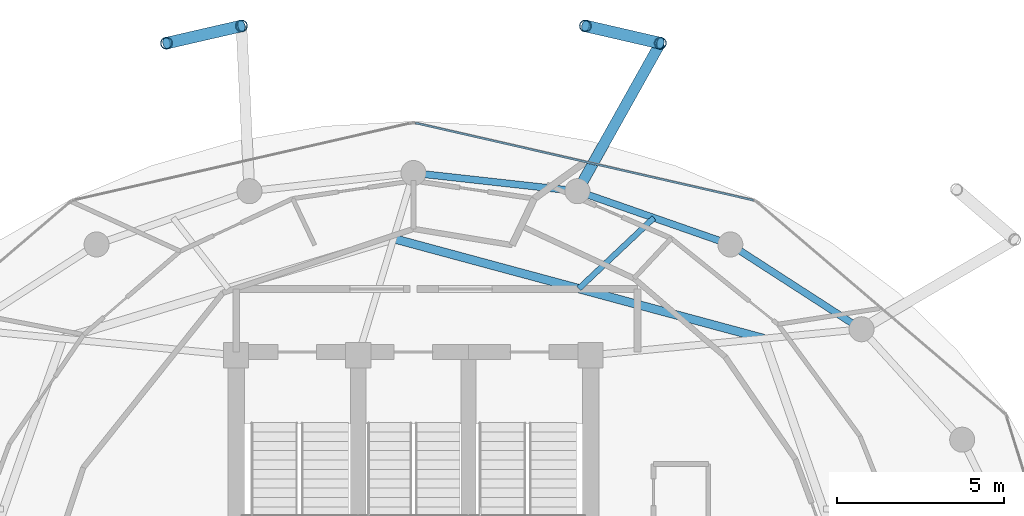
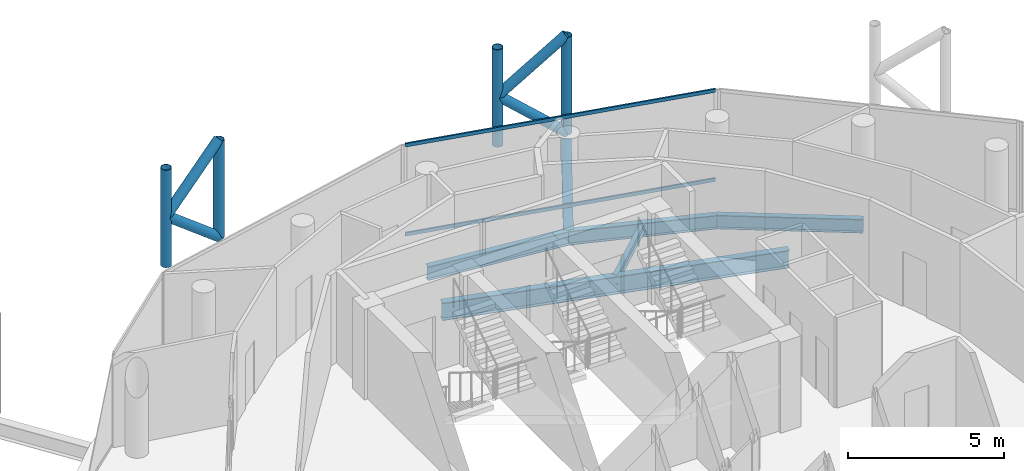
# One storey, part 17 of 24: 10 members, 6 beams, 1 element without a shape of its own.
"""IFC4 building model written with IfcOpenShell, lengths in metres."""

from ifc_helpers import new_model, si_unit, direction, frame, origin, origin_2d, place, context, subcontext, project, spatial, hollow_rectangle, hollow_circle, i_section, extrude, material, layer, layer_set, material_profile, profile_set, type_object, element, aggregate, save


model = new_model("IFC4")

# Units and contexts
model_context = context("Model", 3, precision=1e-05, world=origin(), true_north=direction((0.0, 1.0)))
body_context = subcontext(model_context, "Body", "Model", "MODEL_VIEW")
ifc_project = project(units=[si_unit("LENGTHUNIT", "METRE"), si_unit("AREAUNIT", "SQUARE_METRE"), si_unit("VOLUMEUNIT", "CUBIC_METRE"), si_unit("PLANEANGLEUNIT", "RADIAN"), si_unit("MASSUNIT", "GRAM", prefix="KILO")], contexts=[model_context])

# Site, building, storey
site_placement = place(None, origin())
site = spatial("IfcSite", under=ifc_project, at=site_placement, CompositionType="ELEMENT")
building_placement = place(site_placement, origin())
building = spatial("IfcBuilding", under=site, at=building_placement, Name="Nuhasar Tower", CompositionType="ELEMENT")
storey_placement = place(building_placement, frame((0.0, 0.0, 289.800048828125)))
storey = spatial("IfcBuildingStorey", under=building, at=storey_placement, Name="L72", CompositionType="ELEMENT", Elevation=289.800048828125)

# Beams
ifc_material_1 = material(Name="Steel S355", Category="steel")
ifc_material_profile_1 = material_profile(ifc_material_1, i_section(OverallWidth=0.25390625, OverallDepth=0.68408203125, WebThickness=0.012451171875, FlangeThickness=0.018798828125, at=origin_2d()), Name="W27X94")
ifc_profile_set_1 = profile_set([ifc_material_profile_1], Name="Steel S355")
beam_type_1 = type_object("IfcBeamType", Name="BM-INRING-W27X94", PredefinedType="BEAM", material=ifc_profile_set_1)
beam_1_placement = place(storey_placement, frame((49.48388671875, 37.798095703125, -0.60205078125), z_axis=(-0.965451835482, 0.260581567584, 0.0), x_axis=(-0.260581567584, -0.965451835482, 0.0)))
element("IfcBeam", 1, at=beam_1_placement, inside=storey, type_object=beam_type_1, Name="L72 Inner Header Beam 05", PredefinedType="BEAM", context=body_context, shape_type="SweptSolid", body=[
    extrude(i_section(OverallWidth=0.25390625, OverallDepth=0.68408203125, WebThickness=0.012451171875, FlangeThickness=0.018798828125, at=origin_2d()), origin(), (0.0, 0.0, 1.0), 11.474365234375),
])
ifc_material_profile_2 = material_profile(ifc_material_1, i_section(OverallWidth=0.1708984375, OverallDepth=0.35205078125, WebThickness=0.0068359375, FlangeThickness=0.009765625, at=origin_2d()), Name="W14X30")
ifc_profile_set_2 = profile_set([ifc_material_profile_2], Name="Steel S355")
beam_type_2 = type_object("IfcBeamType", Name="BM-JST-W14X30", PredefinedType="JOIST", material=ifc_profile_set_2)
beam_2_placement = place(storey_placement, frame((43.945068359375, 39.29296875, -0.43603515625), z_axis=(0.727532985224, 0.686072704173, 0.0), x_axis=(-0.686072704173, 0.727532985224, 0.0)))
element("IfcBeam", 2, at=beam_2_placement, inside=storey, type_object=beam_type_2, Name="L72 Secondary Floor Joist 05", PredefinedType="JOIST", context=body_context, shape_type="SweptSolid", body=[
    extrude(i_section(OverallWidth=0.1708984375, OverallDepth=0.35205078125, WebThickness=0.0068359375, FlangeThickness=0.009765625, at=origin_2d()), origin(), (0.0, 0.0, 1.0), 3.085693359375),
])
ifc_material_profile_3 = material_profile(ifc_material_1, i_section(OverallWidth=0.2099609375, OverallDepth=0.537109375, WebThickness=0.010986328125, FlangeThickness=0.017333984375, at=origin_2d()), Name="W21X68")
ifc_profile_set_3 = profile_set([ifc_material_profile_3], Name="Steel S355")
beam_type_3 = type_object("IfcBeamType", Name="BM-RING-W21X68", PredefinedType="SPANDREL", material=ifc_profile_set_3)
beam_3_placement = place(storey_placement, frame((52.39990234375, 38.077880859375, -0.528076171875), z_axis=(-0.840001671147, 0.54258381147, 0.0), x_axis=(-0.54258381147, -0.840001671147, 0.0)))
element("IfcBeam", 3, at=beam_3_placement, inside=storey, type_object=beam_type_3, Name="L72 Perimeter Ring Spandrel 04", PredefinedType="SPANDREL", context=body_context, shape_type="SweptSolid", body=[
    extrude(i_section(OverallWidth=0.2099609375, OverallDepth=0.537109375, WebThickness=0.010986328125, FlangeThickness=0.017333984375, at=origin_2d()), origin(), (0.0, 0.0, 1.0), 4.67236328125),
])
beam_4_placement = place(storey_placement, frame((48.47509765625, 40.613037109375, -0.528076171875), z_axis=(-0.944214043504, 0.329332415729, 0.0), x_axis=(-0.329332415729, -0.944214043504, 0.0)))
element("IfcBeam", 4, at=beam_4_placement, inside=storey, type_object=beam_type_3, Name="L72 Perimeter Ring Spandrel 05", PredefinedType="SPANDREL", context=body_context, shape_type="SweptSolid", body=[
    extrude(i_section(OverallWidth=0.2099609375, OverallDepth=0.537109375, WebThickness=0.010986328125, FlangeThickness=0.017333984375, at=origin_2d()), origin(), (0.0, 0.0, 1.0), 4.840087890625),
])
beam_5_placement = place(storey_placement, frame((43.905029296875, 42.20703125, -0.528076171875), z_axis=(-0.99392889943, 0.110024283128, 0.0), x_axis=(-0.110024283128, -0.99392889943, 0.0)))
element("IfcBeam", 5, at=beam_5_placement, inside=storey, type_object=beam_type_3, Name="L72 Perimeter Ring Spandrel 06", PredefinedType="SPANDREL", context=body_context, shape_type="SweptSolid", body=[
    extrude(i_section(OverallWidth=0.2099609375, OverallDepth=0.537109375, WebThickness=0.010986328125, FlangeThickness=0.017333984375, at=origin_2d()), origin(), (0.0, 0.0, 1.0), 4.93505859375),
])
ifc_material_profile_4 = material_profile(ifc_material_1, i_section(OverallWidth=0.323974609375, OverallDepth=0.611083984375, WebThickness=0.0126953125, FlangeThickness=0.01904296875, at=origin_2d()), Name="W24X104")
ifc_profile_set_4 = profile_set([ifc_material_profile_4], Name="Steel S355")
beam_type_4 = type_object("IfcBeamType", Name="BM-TIE-W24X104", PredefinedType="BEAM", material=ifc_profile_set_4)
beam_6_placement = place(storey_placement, frame((43.905029296875, 42.20703125, -0.56494140625), z_axis=(0.488667847762, 0.872469904675, 0.0), x_axis=(-0.872469904675, 0.488667847762, 0.0)))
element("IfcBeam", 6, at=beam_6_placement, inside=storey, type_object=beam_type_4, Name="L72 Exoskeleton Node Tie Beam 03", PredefinedType="BEAM", context=body_context, shape_type="SweptSolid", body=[
    extrude(i_section(OverallWidth=0.323974609375, OverallDepth=0.611083984375, WebThickness=0.0126953125, FlangeThickness=0.01904296875, at=origin_2d()), origin(), (0.0, 0.0, 1.0), 5.072998046875),
])

# Curtain wall, members
ifc_material_2 = material(Name="Aluminium 6063-T6", Category="aluminium")
ifc_layer = layer(ifc_material_2, 0.18994140625)
ifc_layer_set = layer_set([ifc_layer], Name="Aluminium 6063-T6")
curtain_wall_type = type_object("IfcCurtainWallType", Name="CW-Z4-PEN", PredefinedType="NOTDEFINED", material=ifc_layer_set)
curtain_wall_placement = place(storey_placement, origin())
curtain_wall = element("IfcCurtainWall", 7, at=curtain_wall_placement, inside=storey, type_object=curtain_wall_type, Name="L72 Unitised Curtain Wall 03", PredefinedType="NOTDEFINED")
ifc_material_profile_5 = material_profile(ifc_material_2, hollow_rectangle(XDim=0.06005859375, YDim=0.135009765625, WallThickness=0.00439453125, at=origin_2d()), Name="CWT-5")
ifc_profile_set_5 = profile_set([ifc_material_profile_5], Name="Aluminium 6063-T6")
member_type_1 = type_object("IfcMemberType", Name="CW-TRN-S5", PredefinedType="USERDEFINED", material=ifc_profile_set_5)
member_1_placement = place(storey_placement, frame((49.171630859375, 41.934326171875, 0.030029296875), z_axis=(-0.974843752401, 0.222889341163, 0.0), x_axis=(-0.222889341163, -0.974843752401, 0.0)))
member_1 = element("IfcMember", 8, at=member_1_placement, type_object=member_type_1, Name="CW-Z4 transom 1.1", ObjectType="TRANSOM", PredefinedType="USERDEFINED", context=body_context, shape_type="SweptSolid", body=[
    extrude(hollow_rectangle(XDim=0.06005859375, YDim=0.135009765625, WallThickness=0.00439453125, at=origin_2d()), origin(), (0.0, 0.0, 1.0), 10.3740234375),
])
member_2_placement = place(storey_placement, frame((49.171630859375, 41.934326171875, 3.510009765625), z_axis=(-0.974843752401, 0.222889341163, 0.0), x_axis=(-0.222889341163, -0.974843752401, 0.0)))
member_2 = element("IfcMember", 9, at=member_2_placement, type_object=member_type_1, Name="CW-Z4 transom 1.2", ObjectType="TRANSOM", PredefinedType="USERDEFINED", context=body_context, shape_type="SweptSolid", body=[
    extrude(hollow_rectangle(XDim=0.06005859375, YDim=0.135009765625, WallThickness=0.00439453125, at=origin_2d()), origin(), (0.0, 0.0, 1.0), 10.3740234375),
])
aggregate(curtain_wall, [member_1, member_2])

# Members
ifc_material_3 = material(Name="Steel S460", Category="steel")
ifc_material_profile_6 = material_profile(ifc_material_3, hollow_circle(Radius=0.177734375, WallThickness=0.015869140625, at=origin_2d()), Name="HSS355.6X15.9")
ifc_profile_set_6 = profile_set([ifc_material_profile_6], Name="Steel S460")
member_type_2 = type_object("IfcMemberType", Name="EXO-BRONZE-356", PredefinedType="BRACE", material=ifc_profile_set_6)
for number, where, z_axis, x_axis, name in (
    (10, (46.384033203125, 46.633056640625, 0.0), (0.0, 0.0, 1.0), (1.0, 0.0, 0.0), "L72 Exoskeleton Chord Column EC-03A"),
    (11, (44.14306640625, 47.14892578125, 0.0), (0.0, 0.0, 1.0), (1.0, 0.0, 0.0), "L72 Exoskeleton Chord Column EC-03B"),
    (12, (33.85693359375, 47.14892578125, 0.0), (0.0, 0.0, 1.0), (1.0, 0.0, 0.0), "L72 Exoskeleton Chord Column EC-04A"),
    (13, (31.615966796875, 46.633056640625, 0.0), (0.0, 0.0, 1.0), (1.0, 0.0, 0.0), "L72 Exoskeleton Chord Column EC-04B"),
):
    element("IfcMember", number, at=place(storey_placement, frame(where, z_axis=z_axis, x_axis=x_axis)), inside=storey, type_object=member_type_2, Name=name, PredefinedType="BRACE", context=body_context, shape_type="SweptSolid", body=[
        extrude(hollow_circle(Radius=0.177734375, WallThickness=0.015869140625, at=origin_2d()), origin(), (0.0, 0.0, 1.0), 3.800048828125),
    ])
member_3_placement = place(storey_placement, frame((46.384033203125, 46.633056640625, 0.0), z_axis=(-0.751271614502, 0.172942250947, 0.636931659663), x_axis=(-0.224332214284, -0.974512728308, 0.0)))
element("IfcMember", 14, at=member_3_placement, inside=storey, type_object=member_type_2, Name="L72 Bronze Diagrid Brace W1-03", PredefinedType="BRACE", context=body_context, shape_type="SweptSolid", body=[
    extrude(hollow_circle(Radius=0.177734375, WallThickness=0.015869140625, at=origin_2d()), origin(), (0.0, 0.0, 1.0), 2.98291015625),
])
member_4_placement = place(storey_placement, frame((44.14306640625, 47.14892578125, 1.89990234375), z_axis=(0.751232450652, -0.172933235454, 0.636980298881), x_axis=(0.224332214284, 0.974512728308, 0.0)))
element("IfcMember", 15, at=member_4_placement, inside=storey, type_object=member_type_2, Name="L72 Bronze Diagrid Brace W2-03", PredefinedType="BRACE", context=body_context, shape_type="SweptSolid", body=[
    extrude(hollow_circle(Radius=0.177734375, WallThickness=0.015869140625, at=origin_2d()), origin(), (0.0, 0.0, 1.0), 2.983154296875),
])
member_5_placement = place(storey_placement, frame((33.85693359375, 47.14892578125, 0.0), z_axis=(-0.751271614502, -0.172942250947, 0.636931659663), x_axis=(0.224332214284, -0.974512728308, 0.0)))
element("IfcMember", 16, at=member_5_placement, inside=storey, type_object=member_type_2, Name="L72 Bronze Diagrid Brace W1-04", PredefinedType="BRACE", context=body_context, shape_type="SweptSolid", body=[
    extrude(hollow_circle(Radius=0.177734375, WallThickness=0.015869140625, at=origin_2d()), origin(), (0.0, 0.0, 1.0), 2.98291015625),
])
member_6_placement = place(storey_placement, frame((31.615966796875, 46.633056640625, 1.89990234375), z_axis=(0.751232450652, 0.172933235454, 0.636980298881), x_axis=(-0.224332214284, 0.974512728308, 0.0)))
element("IfcMember", 17, at=member_6_placement, inside=storey, type_object=member_type_2, Name="L72 Bronze Diagrid Brace W2-04", PredefinedType="BRACE", context=body_context, shape_type="SweptSolid", body=[
    extrude(hollow_circle(Radius=0.177734375, WallThickness=0.015869140625, at=origin_2d()), origin(), (0.0, 0.0, 1.0), 2.983154296875),
])

save(model, "model.ifc")
